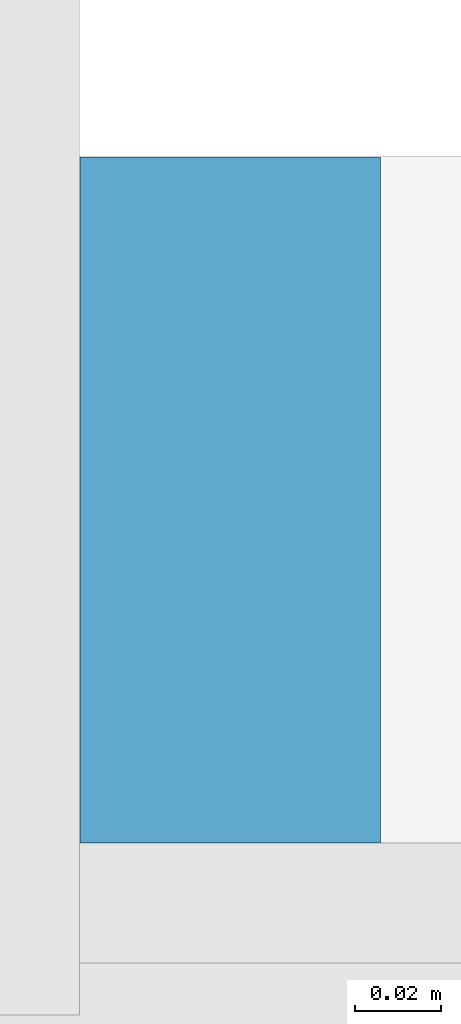
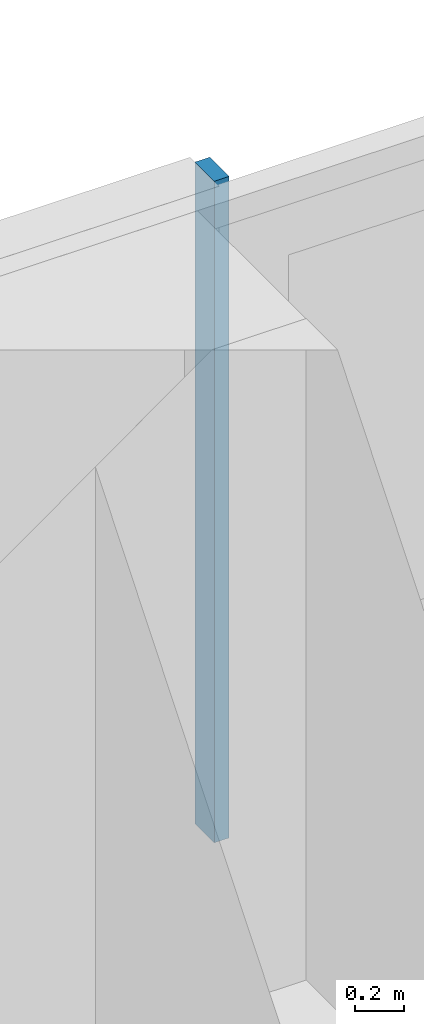
# One storey, part 10 of 26: 1 member, 1 element without a shape of its own.
"""IFC4 building model written with IfcOpenShell, lengths in metres."""

from ifc_helpers import new_model, si_unit, direction, frame, origin, origin_2d, place, context, subcontext, project, spatial, rectangle, extrude, material, material_profile, profile_set, type_object, element, aggregate, save


model = new_model("IFC4")

# Units and contexts
model_context = context("Model", 3, precision=1e-05, world=origin(), true_north=direction((0.0, 1.0)))
body_context = subcontext(model_context, "Body", "Model", "MODEL_VIEW")
ifc_project = project(units=[si_unit("LENGTHUNIT", "METRE"), si_unit("AREAUNIT", "SQUARE_METRE"), si_unit("VOLUMEUNIT", "CUBIC_METRE"), si_unit("PLANEANGLEUNIT", "RADIAN"), si_unit("MASSUNIT", "GRAM", prefix="KILO")], contexts=[model_context])

# Site, building, storey
site_placement = place(None, origin())
site = spatial("IfcSite", under=ifc_project, at=site_placement, CompositionType="ELEMENT")
building_placement = place(site_placement, origin())
building = spatial("IfcBuilding", under=site, at=building_placement, Name="Saffron Gate Tower", CompositionType="ELEMENT")
storey_placement = place(building_placement, frame((0.0, 0.0, 120.449951171875)))
storey = spatial("IfcBuildingStorey", under=building, at=storey_placement, Name="L28", CompositionType="ELEMENT", Elevation=120.449951171875)

# Curtain wall, member
ifc_material = material(Name="Aluminium, bronze anodised", Category="aluminium")
curtain_wall_type = type_object("IfcCurtainWallType", Name="CWS3 curtain wall rear facade", PredefinedType="NOTDEFINED", material=ifc_material)
curtain_wall_placement = place(storey_placement, origin())
curtain_wall = element("IfcCurtainWall", 1, at=curtain_wall_placement, inside=storey, type_object=curtain_wall_type, Name="CWS3 run 7", PredefinedType="NOTDEFINED")
ifc_material_profile = material_profile(ifc_material, rectangle(XDim=0.159912109375, YDim=0.070068359375, at=origin_2d()))
ifc_profile_set = profile_set([ifc_material_profile], Name="Aluminium, bronze anodised")
member_type = type_object("IfcMemberType", Name="CWS3 mullion 70x160", PredefinedType="MULLION", material=ifc_profile_set)
member_placement = place(storey_placement, frame((108.60009765625, 75.52001953125, 0.0), z_axis=(0.0, 0.0, 1.0), x_axis=(0.0, -1.0, 0.0)))
member = element("IfcMember", 2, at=member_placement, type_object=member_type, Name="CWS3 mullion 3", PredefinedType="MULLION", context=body_context, shape_type="SweptSolid", body=[
    extrude(rectangle(XDim=0.159912109375, YDim=0.070068359375, at=origin_2d()), origin(), (0.0, 0.0, 1.0), 3.320068359375),
])
aggregate(curtain_wall, [member])

save(model, "model.ifc")
